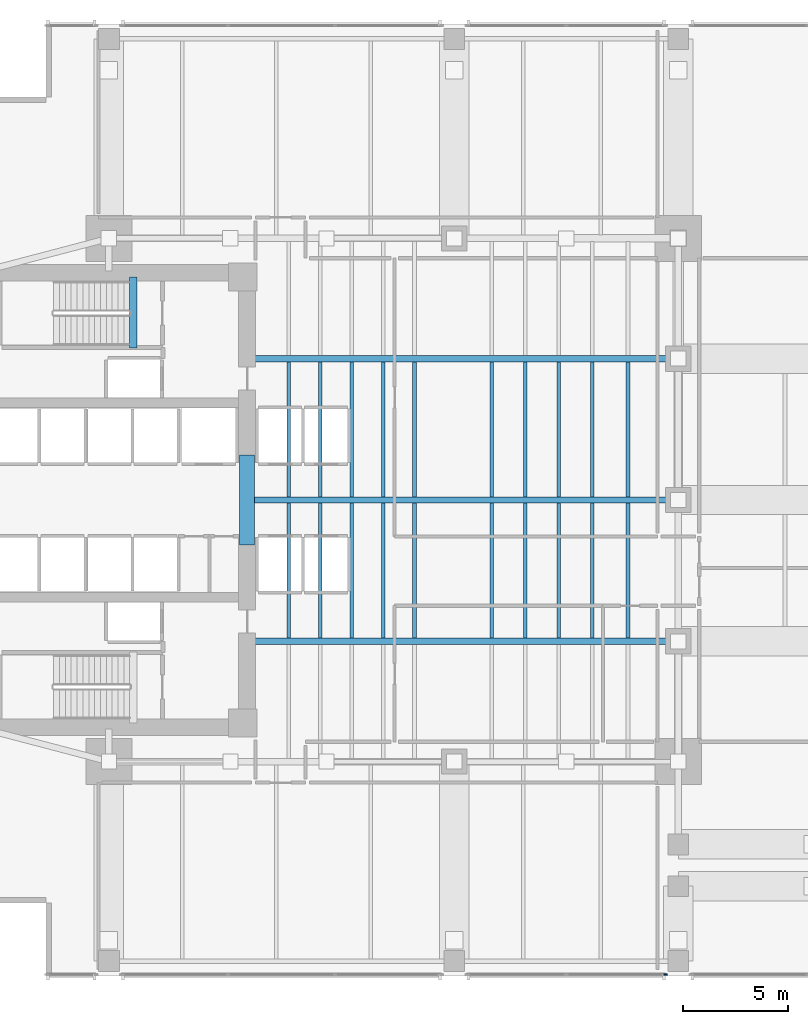
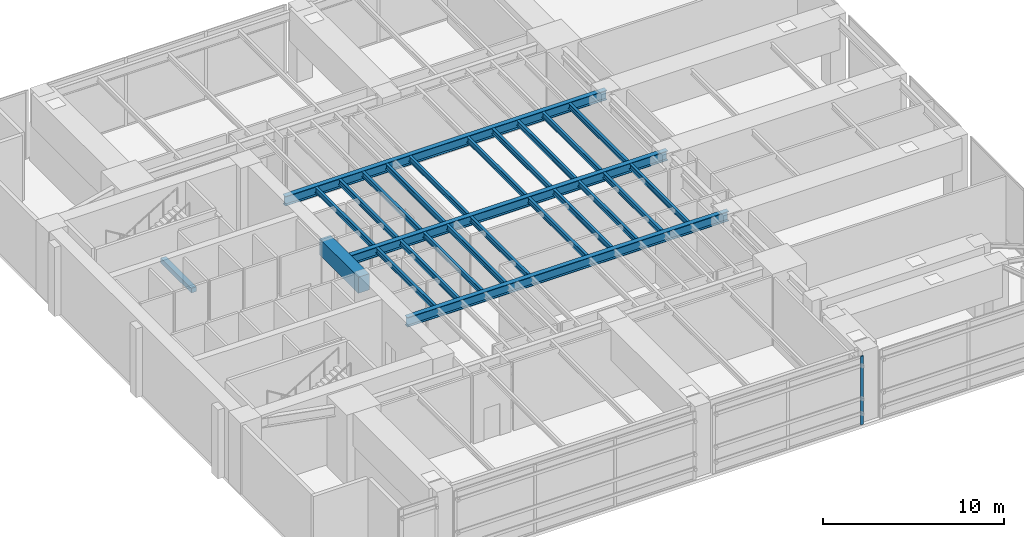
# One storey, part 3 of 14: 25 beams, 1 member, 1 element without a shape of its own.
"""IFC4 building model written with IfcOpenShell, lengths in metres."""

from ifc_helpers import new_model, si_unit, direction, frame, origin, origin_2d, place, context, subcontext, project, spatial, rectangle, i_section, extrude, material, layer, layer_set, material_profile, profile_set, type_object, element, aggregate, save


model = new_model("IFC4")

# Units and contexts
model_context = context("Model", 3, precision=1e-05, world=origin(), true_north=direction((0.0, 1.0)))
body_context = subcontext(model_context, "Body", "Model", "MODEL_VIEW")
ifc_project = project(units=[si_unit("LENGTHUNIT", "METRE"), si_unit("AREAUNIT", "SQUARE_METRE"), si_unit("VOLUMEUNIT", "CUBIC_METRE"), si_unit("PLANEANGLEUNIT", "RADIAN"), si_unit("MASSUNIT", "GRAM", prefix="KILO")], contexts=[model_context])

# Site, building, storey
site_placement = place(None, origin())
site = spatial("IfcSite", under=ifc_project, at=site_placement, CompositionType="ELEMENT")
building_placement = place(site_placement, origin())
building = spatial("IfcBuilding", under=site, at=building_placement, Name="Kinhvarn Gate Tower", CompositionType="ELEMENT")
storey_placement = place(building_placement, frame((0.0, 0.0, 93.050048828125)))
storey = spatial("IfcBuildingStorey", under=building, at=storey_placement, Name="L24", CompositionType="ELEMENT", Elevation=93.050048828125)

# Beams
ifc_material_1 = material(Name="Concrete C70/85", Category="concrete")
ifc_material_profile_1 = material_profile(ifc_material_1, rectangle(XDim=0.699951171875, YDim=1.10009765625, at=origin_2d()), Name="RC 700x1100")
ifc_profile_set_1 = profile_set([ifc_material_profile_1], Name="Concrete C70/85")
beam_type_1 = type_object("IfcBeamType", Name="BM-CB-1100", PredefinedType="LINTEL", material=ifc_profile_set_1)
beam_1_placement = place(storey_placement, frame((17.60009765625, 23.10009765625, 4.070068359375), z_axis=(0.0, 1.0, 0.0), x_axis=(-1.0, 0.0, 0.0)))
element("IfcBeam", 1, at=beam_1_placement, inside=storey, type_object=beam_type_1, Name="Core East Portal Coupling Beam L24", PredefinedType="LINTEL", context=body_context, shape_type="SweptSolid", body=[
    extrude(rectangle(XDim=0.699951171875, YDim=1.10009765625, at=origin_2d()), origin(), (0.0, 0.0, 1.0), 4.2998046875),
])
ifc_material_2 = material(Name="Concrete C50/60", Category="concrete")
ifc_material_profile_2 = material_profile(ifc_material_2, rectangle(XDim=0.340087890625, YDim=0.320068359375, at=origin_2d()), Name="RC 340x320")
ifc_profile_set_2 = profile_set([ifc_material_profile_2], Name="Concrete C50/60")
beam_type_2 = type_object("IfcBeamType", Name="BM-LND-500", PredefinedType="BEAM", material=ifc_profile_set_2)
beam_2_placement = place(storey_placement, frame((12.1650390625, 32.5, -0.16015625), z_axis=(0.0, 1.0, 0.0), x_axis=(-1.0, 0.0, 0.0)))
element("IfcBeam", 2, at=beam_2_placement, inside=storey, type_object=beam_type_2, Name="Stair ST2 Landing Nosing Beam (L24)", PredefinedType="BEAM", context=body_context, shape_type="SweptSolid", body=[
    extrude(rectangle(XDim=0.340087890625, YDim=0.320068359375, at=origin_2d()), origin(), (0.0, 0.0, 1.0), 3.39990234375),
])

# Curtain wall, member
ifc_material_3 = material(Name="Anodised aluminium AW-6063", Category="aluminium")
ifc_layer = layer(ifc_material_3, 0.179931640625)
ifc_layer_set = layer_set([ifc_layer], Name="Anodised aluminium AW-6063")
curtain_wall_type = type_object("IfcCurtainWallType", Name="CW-SYS-2", PredefinedType="NOTDEFINED", material=ifc_layer_set)
curtain_wall_placement = place(storey_placement, origin())
curtain_wall = element("IfcCurtainWall", 3, at=curtain_wall_placement, inside=storey, type_object=curtain_wall_type, Name="Curtain Wall CW2 (L24)", PredefinedType="NOTDEFINED")
ifc_material_profile_3 = material_profile(ifc_material_3, rectangle(XDim=0.070068359375, YDim=0.179931640625, at=origin_2d()), Name="ALU 70x180")
ifc_profile_set_3 = profile_set([ifc_material_profile_3], Name="Anodised aluminium AW-6063")
member_type = type_object("IfcMemberType", Name="CW-MUL-180", PredefinedType="MULLION", material=ifc_profile_set_3)
member_placement = place(storey_placement, frame((37.5849609375, 2.590087890625, 0.0), z_axis=(0.0, 0.0, 1.0), x_axis=(0.0, 1.0, 0.0)))
member = element("IfcMember", 4, at=member_placement, type_object=member_type, Name="CW2 mullion 3", PredefinedType="MULLION", context=body_context, shape_type="SweptSolid", body=[
    extrude(rectangle(XDim=0.070068359375, YDim=0.179931640625, at=origin_2d()), origin(), (0.0, 0.0, 1.0), 4.619873046875),
])
aggregate(curtain_wall, [member])

# Beams
ifc_material_4 = material(Name="Steel S355", Category="steel")
ifc_material_profile_4 = material_profile(ifc_material_4, i_section(OverallWidth=0.300048828125, OverallDepth=0.64990234375, WebThickness=0.01611328125, FlangeThickness=0.031005859375, at=origin_2d()), Name="HEB 650")
ifc_profile_set_4 = profile_set([ifc_material_profile_4], Name="Steel S355")
beam_type_3 = type_object("IfcBeamType", Name="STL-HEB650", PredefinedType="BEAM", material=ifc_profile_set_4)
beam_3_placement = place(storey_placement, frame((17.64990234375, 18.5, 4.294921875), z_axis=(1.0, 0.0, 0.0), x_axis=(0.0, 1.0, 0.0)))
element("IfcBeam", 5, at=beam_3_placement, inside=storey, type_object=beam_type_3, Name="Floor Beam PG-17 (L24 EW1-Y18)", PredefinedType="BEAM", context=body_context, shape_type="SweptSolid", body=[
    extrude(i_section(OverallWidth=0.300048828125, OverallDepth=0.64990234375, WebThickness=0.01611328125, FlangeThickness=0.031005859375, at=origin_2d()), origin(), (0.0, 0.0, 1.0), 20.550048828125),
])
beam_4_placement = place(storey_placement, frame((17.949951171875, 25.25, 4.294921875), z_axis=(1.0, 0.0, 0.0), x_axis=(0.0, 1.0, 0.0)))
element("IfcBeam", 6, at=beam_4_placement, inside=storey, type_object=beam_type_3, Name="Floor Beam PG-17 (L24 EW1-Y25)", PredefinedType="BEAM", context=body_context, shape_type="SweptSolid", body=[
    extrude(i_section(OverallWidth=0.300048828125, OverallDepth=0.64990234375, WebThickness=0.01611328125, FlangeThickness=0.031005859375, at=origin_2d()), origin(), (0.0, 0.0, 1.0), 20.25),
])
beam_5_placement = place(storey_placement, frame((17.64990234375, 32.0, 4.294921875), z_axis=(1.0, 0.0, 0.0), x_axis=(0.0, 1.0, 0.0)))
element("IfcBeam", 7, at=beam_5_placement, inside=storey, type_object=beam_type_3, Name="Floor Beam PG-17 (L24 EW1-Y32)", PredefinedType="BEAM", context=body_context, shape_type="SweptSolid", body=[
    extrude(i_section(OverallWidth=0.300048828125, OverallDepth=0.64990234375, WebThickness=0.01611328125, FlangeThickness=0.031005859375, at=origin_2d()), origin(), (0.0, 0.0, 1.0), 20.550048828125),
])
ifc_material_profile_5 = material_profile(ifc_material_4, i_section(OverallWidth=0.169921875, OverallDepth=0.360107421875, WebThickness=0.008056640625, FlangeThickness=0.0126953125, at=origin_2d()), Name="IPE 360")
ifc_profile_set_5 = profile_set([ifc_material_profile_5], Name="Steel S355")
beam_type_4 = type_object("IfcBeamType", Name="STL-IPE360", PredefinedType="JOIST", material=ifc_profile_set_5)
for number, where, z_axis, x_axis, name in (
    (8, (19.60009765625, 18.64990234375, 4.43994140625), (0.0, 1.0, 0.0), (-1.0, 0.0, 0.0), "Floor Joist SB-04 (L24 JC-X196-1)"),
    (9, (19.60009765625, 25.39990234375, 4.43994140625), (0.0, 1.0, 0.0), (-1.0, 0.0, 0.0), "Floor Joist SB-04 (L24 JC-X196-2)"),
    (10, (21.10009765625, 18.64990234375, 4.43994140625), (0.0, 1.0, 0.0), (-1.0, 0.0, 0.0), "Floor Joist SB-04 (L24 JC-X211-1)"),
    (11, (21.10009765625, 25.39990234375, 4.43994140625), (0.0, 1.0, 0.0), (-1.0, 0.0, 0.0), "Floor Joist SB-04 (L24 JC-X211-2)"),
    (12, (22.60009765625, 18.64990234375, 4.43994140625), (0.0, 1.0, 0.0), (-1.0, 0.0, 0.0), "Floor Joist SB-04 (L24 JC-X226-1)"),
    (13, (22.60009765625, 25.39990234375, 4.43994140625), (0.0, 1.0, 0.0), (-1.0, 0.0, 0.0), "Floor Joist SB-04 (L24 JC-X226-2)"),
    (14, (24.10009765625, 18.64990234375, 4.43994140625), (0.0, 1.0, 0.0), (-1.0, 0.0, 0.0), "Floor Joist SB-04 (L24 JC-X241-1)"),
    (15, (24.10009765625, 25.39990234375, 4.43994140625), (0.0, 1.0, 0.0), (-1.0, 0.0, 0.0), "Floor Joist SB-04 (L24 JC-X241-2)"),
    (16, (25.60009765625, 18.64990234375, 4.43994140625), (0.0, 1.0, 0.0), (-1.0, 0.0, 0.0), "Floor Joist SB-04 (L24 JC-X256-1)"),
    (17, (25.60009765625, 25.39990234375, 4.43994140625), (0.0, 1.0, 0.0), (-1.0, 0.0, 0.0), "Floor Joist SB-04 (L24 JC-X256-2)"),
    (18, (29.300048828125, 18.64990234375, 4.43994140625), (0.0, 1.0, 0.0), (-1.0, 0.0, 0.0), "Floor Joist SB-04 (L24 JC-X293-1)"),
    (19, (29.300048828125, 25.39990234375, 4.43994140625), (0.0, 1.0, 0.0), (-1.0, 0.0, 0.0), "Floor Joist SB-04 (L24 JC-X293-2)"),
    (20, (30.89990234375, 18.64990234375, 4.43994140625), (0.0, 1.0, 0.0), (-1.0, 0.0, 0.0), "Floor Joist SB-04 (L24 JC-X309-1)"),
    (21, (30.89990234375, 25.39990234375, 4.43994140625), (0.0, 1.0, 0.0), (-1.0, 0.0, 0.0), "Floor Joist SB-04 (L24 JC-X309-2)"),
    (22, (32.5, 18.64990234375, 4.43994140625), (0.0, 1.0, 0.0), (-1.0, 0.0, 0.0), "Floor Joist SB-04 (L24 JC-X325-1)"),
    (23, (32.5, 25.39990234375, 4.43994140625), (0.0, 1.0, 0.0), (-1.0, 0.0, 0.0), "Floor Joist SB-04 (L24 JC-X325-2)"),
    (24, (34.10009765625, 18.64990234375, 4.43994140625), (0.0, 1.0, 0.0), (-1.0, 0.0, 0.0), "Floor Joist SB-04 (L24 JC-X341-1)"),
    (25, (34.10009765625, 25.39990234375, 4.43994140625), (0.0, 1.0, 0.0), (-1.0, 0.0, 0.0), "Floor Joist SB-04 (L24 JC-X341-2)"),
    (26, (35.800048828125, 18.64990234375, 4.43994140625), (0.0, 1.0, 0.0), (-1.0, 0.0, 0.0), "Floor Joist SB-04 (L24 JC-X358-1)"),
    (27, (35.800048828125, 25.39990234375, 4.43994140625), (0.0, 1.0, 0.0), (-1.0, 0.0, 0.0), "Floor Joist SB-04 (L24 JC-X358-2)"),
):
    element("IfcBeam", number, at=place(storey_placement, frame(where, z_axis=z_axis, x_axis=x_axis)), inside=storey, type_object=beam_type_4, Name=name, PredefinedType="JOIST", context=body_context, shape_type="SweptSolid", body=[
        extrude(i_section(OverallWidth=0.169921875, OverallDepth=0.360107421875, WebThickness=0.008056640625, FlangeThickness=0.0126953125, at=origin_2d()), origin(), (0.0, 0.0, 1.0), 6.4501953125),
    ])

save(model, "model.ifc")
